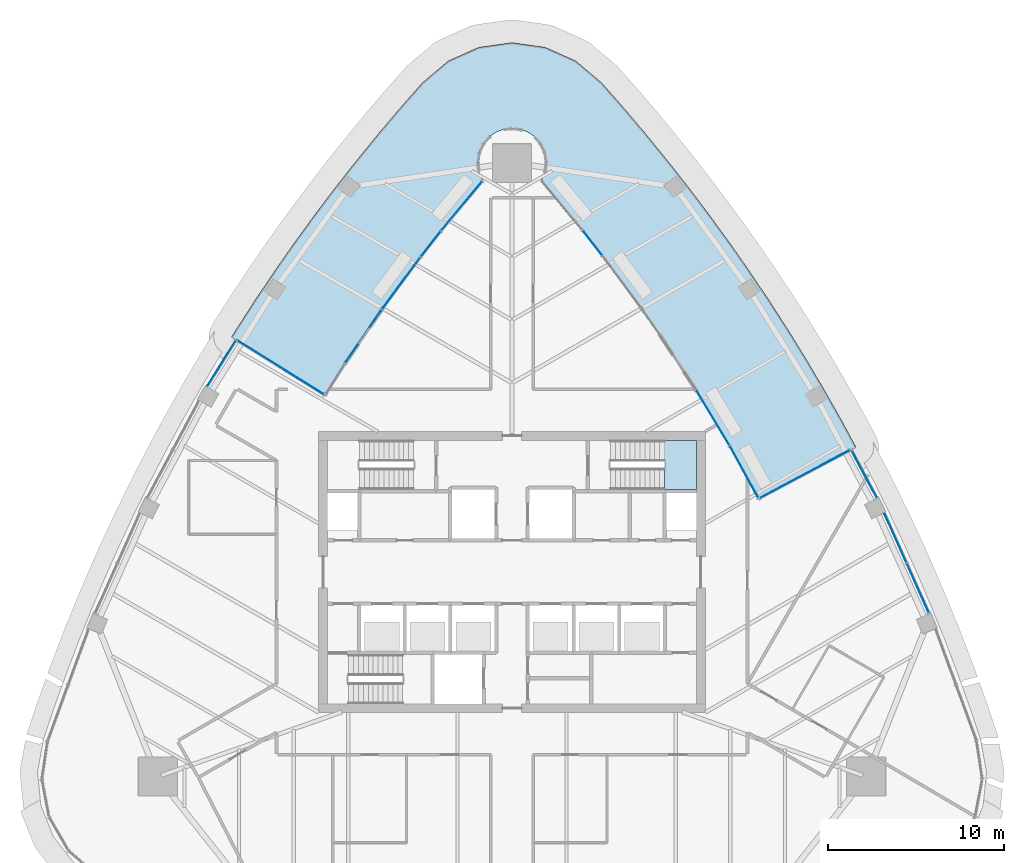
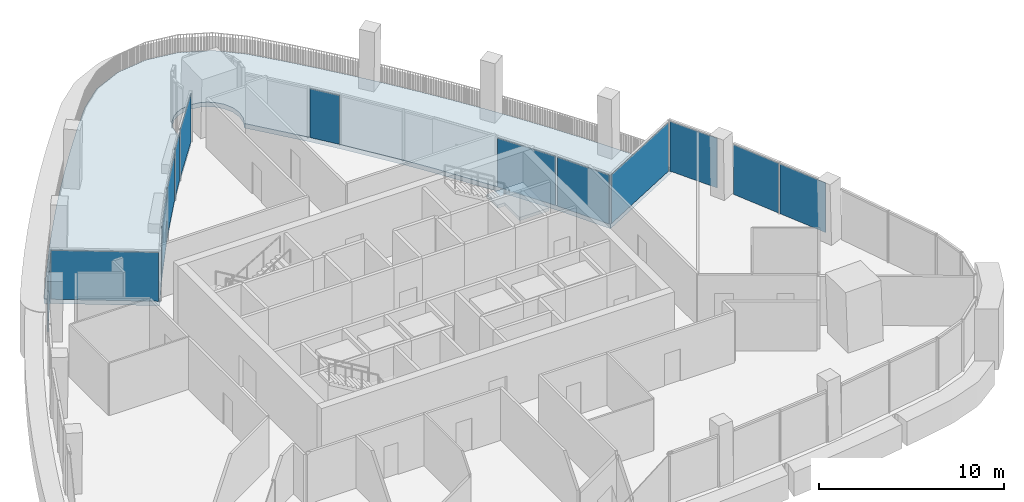
# One storey, part 8 of 18: 13 plates, 2 slabs, 13 elements without a shape of their own.
"""IFC4 building model written with IfcOpenShell, lengths in metres."""

from ifc_helpers import new_model, si_unit, direction, frame, origin, origin_2d, place, context, subcontext, project, spatial, polyline, rectangle, outline, extrude, material, layer, layer_set, type_object, element, aggregate, save


model = new_model("IFC4")

# Units and contexts
model_context = context("Model", 3, precision=1e-05, world=origin(), true_north=direction((0.0, 1.0)))
body_context = subcontext(model_context, "Body", "Model", "MODEL_VIEW")
ifc_project = project(units=[si_unit("LENGTHUNIT", "METRE"), si_unit("AREAUNIT", "SQUARE_METRE"), si_unit("VOLUMEUNIT", "CUBIC_METRE"), si_unit("PLANEANGLEUNIT", "RADIAN"), si_unit("MASSUNIT", "GRAM", prefix="KILO")], contexts=[model_context])

# Site, building, storey
site_placement = place(None, origin())
site = spatial("IfcSite", under=ifc_project, at=site_placement, CompositionType="ELEMENT")
building_placement = place(site_placement, origin())
building = spatial("IfcBuilding", under=site, at=building_placement, Name="Sierra Prisma Convention Tower", CompositionType="ELEMENT")
storey_placement = place(building_placement, frame((0.0, 0.0, 307.0)))
storey = spatial("IfcBuildingStorey", under=building, at=storey_placement, Name="L70", CompositionType="ELEMENT", Elevation=307.0)

# Curtain wall, plate
ifc_material_1 = material(Name="Aluminium and glass curtain wall", Category="aluminium")
ifc_layer_1 = layer(ifc_material_1, 0.179931640625)
ifc_layer_set_1 = layer_set([ifc_layer_1], Name="CW-1 Plain shaft curtain wall")
curtain_wall_type_1 = type_object("IfcCurtainWallType", Name="CW-1 Plain shaft curtain wall", PredefinedType="NOTDEFINED", material=ifc_layer_set_1)
curtain_wall_1_placement = place(storey_placement, origin())
curtain_wall_1 = element("IfcCurtainWall", 1, at=curtain_wall_1_placement, inside=storey, type_object=curtain_wall_type_1, Name="CW-1 NW3b L70", PredefinedType="NOTDEFINED")
ifc_material_2 = material(Name="Tinted glass bronze-grey IGU", Category="glass")
ifc_layer_2 = layer(ifc_material_2, 0.028076171875)
ifc_layer_set_2 = layer_set([ifc_layer_2], Name="CW-1 glass panel")
plate_type_1 = type_object("IfcPlateType", Name="CW-1 glass panel", PredefinedType="CURTAIN_PANEL", material=ifc_layer_set_2)
plate_1_placement = place(storey_placement, frame((-16.527099609375, 11.883056640625, 0.0), z_axis=(0.0, 0.0, 1.0), x_axis=(-0.529572210114, -0.848264860922, 0.0)))
plate_1 = element("IfcPlate", 2, at=plate_1_placement, type_object=plate_type_1, Name="CW-1 panel NW3b.1", PredefinedType="CURTAIN_PANEL", context=body_context, shape_type="SweptSolid", body=[
    extrude(rectangle(XDim=3.017333984375, YDim=0.028076171875, at=origin_2d()), origin(), (0.0, 0.0, 1.0), 3.280029296875),
])
aggregate(curtain_wall_1, [plate_1])

# Curtain wall, plates
curtain_wall_2_placement = place(storey_placement, origin())
curtain_wall_2 = element("IfcCurtainWall", 3, at=curtain_wall_2_placement, inside=storey, type_object=curtain_wall_type_1, Name="CW-1 NE2 L70", PredefinedType="NOTDEFINED")
plate_2_placement = place(storey_placement, frame((23.09521484375, -0.9150390625, 0.0), z_axis=(0.0, 0.0, 1.0), x_axis=(-0.407857767545, 0.913045476115, 0.0)))
plate_2 = element("IfcPlate", 4, at=plate_2_placement, type_object=plate_type_1, Name="CW-1 panel NE2.1", PredefinedType="CURTAIN_PANEL", context=body_context, shape_type="SweptSolid", body=[
    extrude(rectangle(XDim=3.03662109375, YDim=0.028076171875, at=origin_2d()), origin(), (0.0, 0.0, 1.0), 3.280029296875),
])
plate_3_placement = place(storey_placement, frame((21.828125, 1.921630859375, 0.0), z_axis=(0.0, 0.0, 1.0), x_axis=(-0.407857767545, 0.913045476115, 0.0)))
plate_3 = element("IfcPlate", 5, at=plate_3_placement, type_object=plate_type_1, Name="CW-1 panel NE2.2", PredefinedType="CURTAIN_PANEL", context=body_context, shape_type="SweptSolid", body=[
    extrude(rectangle(XDim=3.03662109375, YDim=0.028076171875, at=origin_2d()), origin(), (0.0, 0.0, 1.0), 3.280029296875),
])
aggregate(curtain_wall_2, [plate_2, plate_3])

# Curtain wall, plate
curtain_wall_3_placement = place(storey_placement, origin())
curtain_wall_3 = element("IfcCurtainWall", 6, at=curtain_wall_3_placement, inside=storey, type_object=curtain_wall_type_1, Name="CW-1 NE3 L70", PredefinedType="NOTDEFINED")
plate_4_placement = place(storey_placement, frame((20.0380859375, 5.583984375, 0.0), z_axis=(0.0, 0.0, 1.0), x_axis=(-0.469832813639, 0.882755417558, 0.0)))
plate_4 = element("IfcPlate", 7, at=plate_4_placement, type_object=plate_type_1, Name="CW-1 panel NE3.1", PredefinedType="CURTAIN_PANEL", context=body_context, shape_type="SweptSolid", body=[
    extrude(rectangle(XDim=3.017333984375, YDim=0.028076171875, at=origin_2d()), origin(), (0.0, 0.0, 1.0), 3.280029296875),
])
aggregate(curtain_wall_3, [plate_4])

ifc_material_3 = material(Name="Aluminium and glass curtain wall", Category="aluminium")
ifc_layer_3 = layer(ifc_material_3, 0.179931640625)
ifc_layer_set_3 = layer_set([ifc_layer_3], Name="CW-6 Terrace recess curtain wall")
curtain_wall_type_2 = type_object("IfcCurtainWallType", Name="CW-6 Terrace recess curtain wall", PredefinedType="NOTDEFINED", material=ifc_layer_set_3)
curtain_wall_4_placement = place(storey_placement, origin())
curtain_wall_4 = element("IfcCurtainWall", 8, at=curtain_wall_4_placement, inside=storey, type_object=curtain_wall_type_2, Name="CW-6 R1 L70", PredefinedType="NOTDEFINED")
ifc_material_4 = material(Name="Tinted glass bronze-grey IGU", Category="glass")
ifc_layer_4 = layer(ifc_material_4, 0.028076171875)
ifc_layer_set_4 = layer_set([ifc_layer_4], Name="CW-6 glass panel")
plate_type_2 = type_object("IfcPlateType", Name="CW-6 glass panel", PredefinedType="CURTAIN_PANEL", material=ifc_layer_set_4)
plate_5_placement = place(storey_placement, frame((13.22216796875, 5.6708984375, 0.0), z_axis=(0.0, 0.0, 1.0), x_axis=(-0.480643159377, 0.876916274991, 0.0)))
plate_5 = element("IfcPlate", 9, at=plate_5_placement, type_object=plate_type_2, Name="CW-6 panel R1.1", PredefinedType="CURTAIN_PANEL", context=body_context, shape_type="SweptSolid", body=[
    extrude(rectangle(XDim=3.2607421875, YDim=0.028076171875, at=origin_2d()), origin(), (0.0, 0.0, 1.0), 3.219970703125),
])
aggregate(curtain_wall_4, [plate_5])

curtain_wall_5_placement = place(storey_placement, origin())
curtain_wall_5 = element("IfcCurtainWall", 10, at=curtain_wall_5_placement, inside=storey, type_object=curtain_wall_type_2, Name="CW-6 R2 L70", PredefinedType="NOTDEFINED")
plate_6_placement = place(storey_placement, frame((11.445556640625, 8.753662109375, 0.0), z_axis=(0.0, 0.0, 1.0), x_axis=(-0.516206318013, 0.856464265012, 0.0)))
plate_6 = element("IfcPlate", 11, at=plate_6_placement, type_object=plate_type_2, Name="CW-6 panel R2.1", PredefinedType="CURTAIN_PANEL", context=body_context, shape_type="SweptSolid", body=[
    extrude(rectangle(XDim=3.57666015625, YDim=0.028076171875, at=origin_2d()), origin(), (0.0, 0.0, 1.0), 3.219970703125),
])
aggregate(curtain_wall_5, [plate_6])

curtain_wall_6_placement = place(storey_placement, origin())
curtain_wall_6 = element("IfcCurtainWall", 12, at=curtain_wall_6_placement, inside=storey, type_object=curtain_wall_type_2, Name="CW-6 R6 L70", PredefinedType="NOTDEFINED")
plate_7_placement = place(storey_placement, frame((4.605224609375, 18.69921875, 0.0), z_axis=(0.0, 0.0, 1.0), x_axis=(-0.616842311528, 0.787086756786, 0.0)))
plate_7 = element("IfcPlate", 13, at=plate_7_placement, type_object=plate_type_2, Name="CW-6 panel R6.1", PredefinedType="CURTAIN_PANEL", context=body_context, shape_type="SweptSolid", body=[
    extrude(rectangle(XDim=1.718505859375, YDim=0.028076171875, at=origin_2d()), origin(), (0.0, 0.0, 1.0), 3.219970703125),
])
aggregate(curtain_wall_6, [plate_7])

curtain_wall_7_placement = place(storey_placement, origin())
curtain_wall_7 = element("IfcCurtainWall", 14, at=curtain_wall_7_placement, inside=storey, type_object=curtain_wall_type_2, Name="CW-6 R24 L70", PredefinedType="NOTDEFINED")
plate_8_placement = place(storey_placement, frame((-2.84912109375, 20.85546875, 0.0), z_axis=(0.0, 0.0, 1.0), x_axis=(-0.63878406426, -0.76938606645, 0.0)))
plate_8 = element("IfcPlate", 15, at=plate_8_placement, type_object=plate_type_2, Name="CW-6 panel R24.1", PredefinedType="CURTAIN_PANEL", context=body_context, shape_type="SweptSolid", body=[
    extrude(rectangle(XDim=3.563720703125, YDim=0.028076171875, at=origin_2d()), origin(), (0.0, 0.0, 1.0), 3.219970703125),
])
aggregate(curtain_wall_7, [plate_8])

curtain_wall_8_placement = place(storey_placement, origin())
curtain_wall_8 = element("IfcCurtainWall", 16, at=curtain_wall_8_placement, inside=storey, type_object=curtain_wall_type_2, Name="CW-6 R25 L70", PredefinedType="NOTDEFINED")
plate_9_placement = place(storey_placement, frame((-4.605224609375, 18.69921875, 0.0), z_axis=(0.0, 0.0, 1.0), x_axis=(-0.616842311528, -0.787086756786, 0.0)))
plate_9 = element("IfcPlate", 17, at=plate_9_placement, type_object=plate_type_2, Name="CW-6 panel R25.1", PredefinedType="CURTAIN_PANEL", context=body_context, shape_type="SweptSolid", body=[
    extrude(rectangle(XDim=1.718505859375, YDim=0.028076171875, at=origin_2d()), origin(), (0.0, 0.0, 1.0), 3.219970703125),
])
aggregate(curtain_wall_8, [plate_9])

curtain_wall_9_placement = place(storey_placement, origin())
curtain_wall_9 = element("IfcCurtainWall", 18, at=curtain_wall_9_placement, inside=storey, type_object=curtain_wall_type_2, Name="CW-6 R26 L70", PredefinedType="NOTDEFINED")
plate_10_placement = place(storey_placement, frame((-6.282958984375, 16.473388671875, 0.0), z_axis=(0.0, 0.0, 1.0), x_axis=(-0.59438393371, -0.804181409477, 0.0)))
plate_10 = element("IfcPlate", 19, at=plate_10_placement, type_object=plate_type_2, Name="CW-6 panel R26.1", PredefinedType="CURTAIN_PANEL", context=body_context, shape_type="SweptSolid", body=[
    extrude(rectangle(XDim=3.57666015625, YDim=0.028076171875, at=origin_2d()), origin(), (0.0, 0.0, 1.0), 3.219970703125),
])
aggregate(curtain_wall_9, [plate_10])

curtain_wall_10_placement = place(storey_placement, origin())
curtain_wall_10 = element("IfcCurtainWall", 20, at=curtain_wall_10_placement, inside=storey, type_object=curtain_wall_type_2, Name="CW-6 R27 L70", PredefinedType="NOTDEFINED")
plate_11_placement = place(storey_placement, frame((-8.43505859375, 13.444091796875, 0.0), z_axis=(0.0, 0.0, 1.0), x_axis=(-0.563706037153, -0.825975486124, 0.0)))
plate_11 = element("IfcPlate", 21, at=plate_11_placement, type_object=plate_type_2, Name="CW-6 panel R27.1", PredefinedType="CURTAIN_PANEL", context=body_context, shape_type="SweptSolid", body=[
    extrude(rectangle(XDim=3.57666015625, YDim=0.028076171875, at=origin_2d()), origin(), (0.0, 0.0, 1.0), 3.219970703125),
])
aggregate(curtain_wall_10, [plate_11])

curtain_wall_11_placement = place(storey_placement, origin())
curtain_wall_11 = element("IfcCurtainWall", 22, at=curtain_wall_11_placement, inside=storey, type_object=curtain_wall_type_2, Name="CW-6 RT1 L70", PredefinedType="NOTDEFINED")
plate_12_placement = place(storey_placement, frame((16.66796875, 5.578857421875, 0.0), z_axis=(0.0, 0.0, 1.0), x_axis=(-0.882755417558, -0.469832813639, 0.0)))
plate_12 = element("IfcPlate", 23, at=plate_12_placement, type_object=plate_type_2, Name="CW-6 panel RT1.1", PredefinedType="CURTAIN_PANEL", context=body_context, shape_type="SweptSolid", body=[
    extrude(rectangle(XDim=5.81494140625, YDim=0.028076171875, at=origin_2d()), origin(), (0.0, 0.0, 1.0), 3.219970703125),
])
aggregate(curtain_wall_11, [plate_12])

curtain_wall_12_placement = place(storey_placement, origin())
curtain_wall_12 = element("IfcCurtainWall", 24, at=curtain_wall_12_placement, inside=storey, type_object=curtain_wall_type_2, Name="CW-6 RT2 L70", PredefinedType="NOTDEFINED")
plate_13_placement = place(storey_placement, frame((-13.165283203125, 11.645263671875, 0.0), z_axis=(0.0, 0.0, 1.0), x_axis=(-0.848264860922, 0.529572210114, 0.0)))
plate_13 = element("IfcPlate", 25, at=plate_13_placement, type_object=plate_type_2, Name="CW-6 panel RT2.1", PredefinedType="CURTAIN_PANEL", context=body_context, shape_type="SweptSolid", body=[
    extrude(rectangle(XDim=5.81494140625, YDim=0.028076171875, at=origin_2d()), origin(), (0.0, 0.0, 1.0), 3.219970703125),
])
aggregate(curtain_wall_12, [plate_13])

# Stair, slab
ifc_material_5 = material(Name="Concrete C30/37", Category="concrete")
stair_type = type_object("IfcStairType", Name="Stair dog-leg 1200 RC", PredefinedType="HALF_TURN_STAIR", material=ifc_material_5)
stair_placement = place(storey_placement, origin())
stair = element("IfcStair", 26, at=stair_placement, inside=storey, type_object=stair_type, Name="L70 S4", PredefinedType="HALF_TURN_STAIR")
ifc_material_6 = material(Name="Concrete C35/45", Category="concrete")
ifc_layer_5 = layer(ifc_material_6, 0.199951171875)
ifc_layer_set_5 = layer_set([ifc_layer_5], Name="Stair landing slab")
slab_type_1 = type_object("IfcSlabType", Name="Stair landing slab", PredefinedType="LANDING", material=ifc_layer_set_5)
slab_1_placement = place(storey_placement, frame((0.0, 0.0, 1.800048828125)))
slab_1 = element("IfcSlab", 27, at=slab_1_placement, type_object=slab_type_1, Name="S4 landing 1", PredefinedType="LANDING", context=body_context, shape_type="SweptSolid", body=[
    extrude(outline(polyline([(10.5, 7.5), (10.5, 4.699951171875), (8.677978515625, 4.699951171875), (8.677978515625, 6.300048828125), (8.22998046875, 6.300048828125), (8.22998046875, 7.5), (10.5, 7.5)])), origin(), (0.0, 0.0, 1.0), 0.199951171875),
])
aggregate(stair, [slab_1])

# Slab
ifc_material_7 = material(Name="Concrete C50/60", Category="concrete")
ifc_layer_6 = layer(ifc_material_7, 0.300048828125)
ifc_layer_set_6 = layer_set([ifc_layer_6], Name="Terrace slab")
slab_type_2 = type_object("IfcSlabType", Name="Terrace slab", PredefinedType="FLOOR", material=ifc_layer_set_6)
slab_2_placement = place(storey_placement, frame((0.0, 0.0, -0.300048828125)))
element("IfcSlab", 28, at=slab_2_placement, inside=storey, type_object=slab_type_2, Name="Terrace slab L70", PredefinedType="FLOOR", context=body_context, shape_type="SweptSolid", body=[
    extrude(outline(polyline([(19.568603515625, 7.124755859375), (18.789794921875, 8.566650390625), (17.81787109375, 10.287109375), (16.813720703125, 11.989013671875), (15.77783203125, 13.671875), (14.71044921875, 15.334716796875), (13.612060546875, 16.977294921875), (12.48291015625, 18.598876953125), (11.3232421875, 20.198974609375), (10.1337890625, 21.77685546875), (8.9150390625, 23.33203125), (7.6669921875, 24.8642578125), (6.390625, 26.37255859375), (5.0859375, 27.856689453125), (3.628173828125, 29.0849609375), (1.8876953125, 29.8623046875), (0.0, 30.12841796875), (-1.8876953125, 29.8623046875), (-3.628173828125, 29.0849609375), (-5.0859375, 27.856689453125), (-6.390625, 26.37255859375), (-7.6669921875, 24.8642578125), (-8.9150390625, 23.33203125), (-10.1337890625, 21.77685546875), (-11.3232421875, 20.198974609375), (-12.48291015625, 18.598876953125), (-13.612060546875, 16.977294921875), (-14.71044921875, 15.334716796875), (-15.77783203125, 13.671875), (-15.954833984375, 13.384521484375), (-10.6396484375, 10.068603515625), (-9.482421875, 11.9091796875), (-7.387451171875, 14.97900390625), (-5.17822265625, 17.9677734375), (-4.031982421875, 19.4306640625), (-1.666015625, 22.2802734375), (-1.871337890625, 22.732177734375), (-1.95556640625, 23.2998046875), (-1.871337890625, 23.86767578125), (-1.6259765625, 24.386474609375), (-1.24072265625, 24.8115234375), (-0.921875, 25.024658203125), (-0.567626953125, 25.17138671875), (0.0, 25.255615234375), (0.567626953125, 25.17138671875), (0.921875, 25.024658203125), (1.24072265625, 24.8115234375), (1.6259765625, 24.386474609375), (1.871337890625, 23.86767578125), (1.95556640625, 23.2998046875), (1.871337890625, 22.732177734375), (1.666015625, 22.2802734375), (4.031982421875, 19.4306640625), (5.17822265625, 17.9677734375), (7.387451171875, 14.97900390625), (8.449462890625, 13.453857421875), (10.486328125, 10.34521484375), (12.405029296875, 7.162109375), (14.03955078125, 4.179931640625), (19.568603515625, 7.124755859375)])), origin(), (0.0, 0.0, 1.0), 0.300048828125),
])

save(model, "model.ifc")
